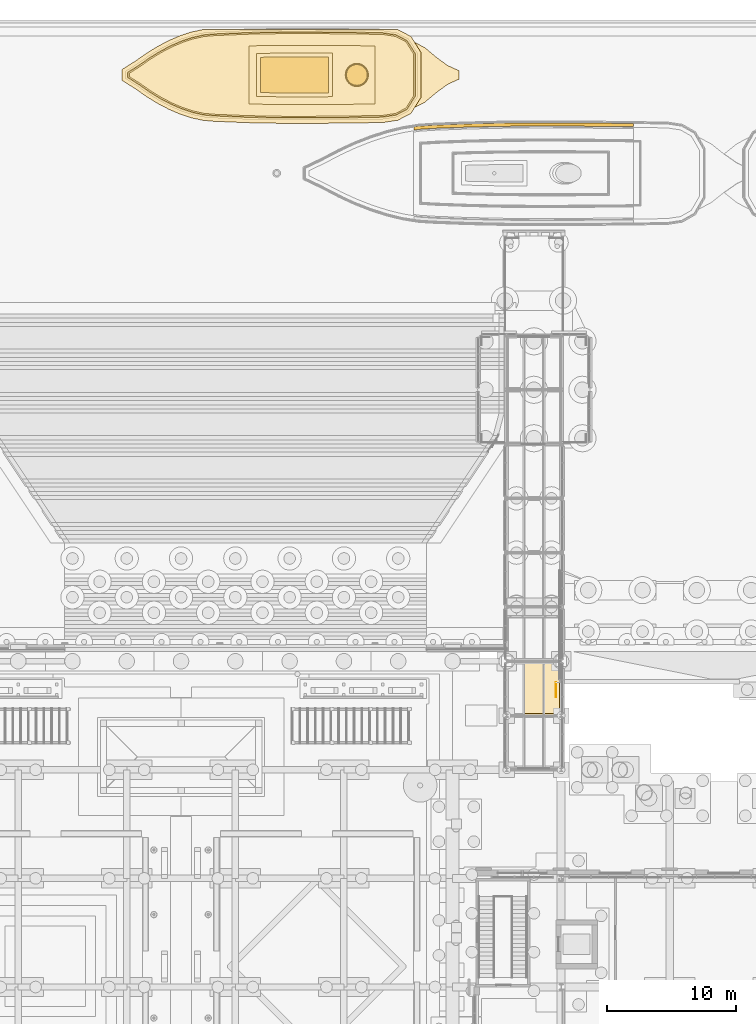
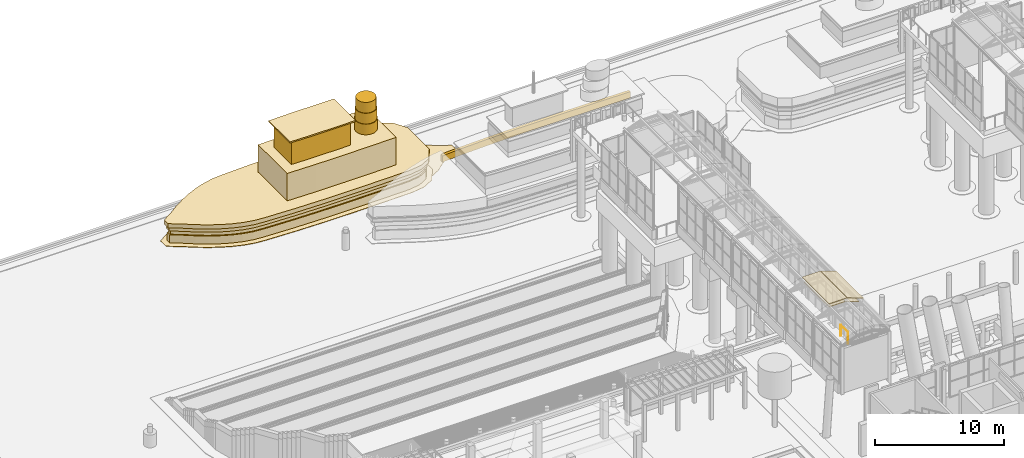
# One storey, part 183 of 222: 17 coverings, 1 railing.
"""IFC4 building model written with IfcOpenShell, lengths in metres."""

from ifc_helpers import new_model, si_unit, direction, frame, origin, origin_2d, place, context, subcontext, project, spatial, polyline, circle, outline, extrude, material, layer, layer_set, type_object, element, save


model = new_model("IFC4")

# Units and contexts
model_context = context("Model", 3, precision=1e-05, world=origin(), true_north=direction((0.0, 1.0)))
body_context = subcontext(model_context, "Body", "Model", "MODEL_VIEW")
ifc_project = project(units=[si_unit("LENGTHUNIT", "METRE"), si_unit("AREAUNIT", "SQUARE_METRE"), si_unit("VOLUMEUNIT", "CUBIC_METRE"), si_unit("PLANEANGLEUNIT", "RADIAN"), si_unit("MASSUNIT", "GRAM", prefix="KILO")], contexts=[model_context])

# Site, building, storey
site_placement = place(None, origin())
site = spatial("IfcSite", under=ifc_project, at=site_placement, CompositionType="ELEMENT")
building_placement = place(site_placement, origin())
building = spatial("IfcBuilding", under=site, at=building_placement, Name="Sava Quay Ferry Terminal", CompositionType="ELEMENT")
storey_placement = place(building_placement, origin())
storey = spatial("IfcBuildingStorey", under=building, at=storey_placement, Name="L00", CompositionType="ELEMENT", Elevation=0.0)

# Railing
ifc_material_1 = material(Name="Steel S355", Category="steel")
railing_type = type_object("IfcRailingType", Name="Edge guard 1100", PredefinedType="GUARDRAIL", material=ifc_material_1)
railing_placement = place(storey_placement, frame((50.0, 115.952880859375, 0.0)))
element("IfcRailing", 1, at=railing_placement, inside=storey, type_object=railing_type, Name="Berth pier edge guard along the narrow floor", PredefinedType="GUARDRAIL", context=body_context, shape_type="SweptSolid", body=[
    extrude(circle(Radius=0.02392578125, at=origin_2d()), frame((0.0, 0.0, 1.076171875), z_axis=(0.0, -1.0, 0.0), x_axis=(1.0, 0.0, 0.0)), (0.0, 0.0, 1.0), 1.10986328125),
    extrude(circle(Radius=0.02099609375, at=origin_2d()), origin(), (0.0, 0.0, 1.0), 1.052001953125),
    extrude(circle(Radius=0.02099609375, at=origin_2d()), frame((0.0, -1.10986328125, 0.0)), (0.0, 0.0, 1.0), 1.052001953125),
])

# Coverings
ifc_material_2 = material(Name="Glulam GL28h", Category="wood")
ifc_layer_1 = layer(ifc_material_2, 0.06005859375)
ifc_layer_set_1 = layer_set([ifc_layer_1], Name="Glulam GL28h")
covering_type_1 = type_object("IfcCoveringType", Name="Glulam soffit lining 60", PredefinedType="CEILING", material=ifc_layer_set_1)
covering_1_placement = place(storey_placement, frame((47.5634765625, 113.56005859375, 5.095703125), z_axis=(0.0, 0.0, 1.0), x_axis=(1.0, 0.0, 0.0)))
element("IfcCovering", 2, at=covering_1_placement, inside=storey, type_object=covering_type_1, Name="Boarding gallery B1 timber soffit lining bay 2 facet 2", PredefinedType="CEILING", context=body_context, shape_type="SweptSolid", body=[
    extrude(outline(polyline([(0.0, 0.0), (1.472900390625, 0.0), (1.472900390625, 3.8798828125), (0.0, 3.8798828125), (0.0, 0.0)])), origin(), (0.0, 0.0, -1.0), 0.06005859375),
])
covering_2_placement = place(storey_placement, frame((49.055908203125, 113.56005859375, 5.09228515625), z_axis=(0.342028329159, 0.0, 0.939689641346), x_axis=(0.939689641346, 0.0, -0.342028329159)))
element("IfcCovering", 3, at=covering_2_placement, inside=storey, type_object=covering_type_1, Name="Boarding gallery B1 timber soffit lining bay 2 facet 3", PredefinedType="CEILING", context=body_context, shape_type="SweptSolid", body=[
    extrude(outline(polyline([(0.0, 0.0), (1.3055444975084805, 0.0), (1.3055444975084805, 3.8798828125), (0.0, 3.8798828125), (0.0, 0.0)])), origin(), (0.0, 0.0, -1.0), 0.06005859375),
])
ifc_material_3 = material(Name="Water")
ifc_layer_2 = layer(ifc_material_3, 0.0400390625)
ifc_layer_set_2 = layer_set([ifc_layer_2], Name="Water")
covering_type_2 = type_object("IfcCoveringType", Name="River foam collar", PredefinedType="CLADDING", material=ifc_layer_set_2)
covering_3_placement = place(storey_placement, frame((0.0, 0.0, -8.0)))
element("IfcCovering", 4, at=covering_3_placement, inside=storey, type_object=covering_type_2, Name="River foam collar", PredefinedType="CLADDING", context=body_context, shape_type="SweptSolid", body=[
    extrude(outline(polyline([(28.794921875, 159.208984375), (31.402099609375, 159.208984375), (34.007080078125, 159.23193359375), (36.64697265625, 159.27587890625), (37.77294921875, 159.448974609375), (38.787109375, 159.97607421875), (39.550048828125, 161.197021484375), (39.550048828125, 164.712890625), (38.787109375, 165.93408203125), (37.783935546875, 166.455078125), (22.633056640625, 166.455078125), (21.805908203125, 166.27587890625), (20.930908203125, 165.989990234375), (20.06396484375, 165.618896484375), (19.202880859375, 165.1689453125), (18.347900390625, 164.64404296875), (17.52001953125, 164.06201171875), (16.449951171875, 163.385986328125), (16.449951171875, 162.52392578125), (17.52001953125, 161.847900390625), (18.347900390625, 161.26611328125), (19.202880859375, 160.740966796875), (20.06396484375, 160.291015625), (20.930908203125, 159.919921875), (21.805908203125, 159.634033203125), (22.693115234375, 159.44189453125), (23.56494140625, 159.365966796875), (26.18310546875, 159.259033203125), (28.794921875, 159.208984375)]), holes=[polyline([(34.0009765625, 166.22802734375), (36.60791015625, 166.18505859375), (37.632080078125, 166.027099609375), (38.469970703125, 165.591064453125), (39.10009765625, 164.583984375), (39.10009765625, 161.325927734375), (38.469970703125, 160.319091796875), (37.632080078125, 159.883056640625), (36.60791015625, 159.72509765625), (34.0009765625, 159.681884765625), (31.39990234375, 159.658935546875), (28.799072265625, 159.658935546875), (26.197021484375, 159.7080078125), (23.593994140625, 159.81494140625), (22.760009765625, 159.887939453125), (21.924072265625, 160.069091796875), (21.090087890625, 160.341064453125), (20.257080078125, 160.697998046875), (19.426025390625, 161.133056640625), (18.594970703125, 161.64306640625), (17.77001953125, 162.221923828125), (16.89990234375, 162.77197265625), (16.89990234375, 163.137939453125), (17.77001953125, 163.68798828125), (18.594970703125, 164.26708984375), (19.426025390625, 164.777099609375), (20.257080078125, 165.2119140625), (21.090087890625, 165.569091796875), (21.924072265625, 165.841064453125), (22.760009765625, 166.02197265625), (23.593994140625, 166.094970703125), (26.197021484375, 166.201904296875), (28.799072265625, 166.2509765625), (31.39990234375, 166.2509765625), (34.0009765625, 166.22802734375)])]), origin(), (0.0, 0.0, 1.0), 0.0400390625),
])
ifc_material_4 = material(Name="Water")
ifc_layer_3 = layer(ifc_material_4, 0.0400390625)
ifc_layer_set_3 = layer_set([ifc_layer_3], Name="Water")
covering_type_3 = type_object("IfcCoveringType", Name="River wake foam", PredefinedType="CLADDING", material=ifc_layer_set_3)
covering_4_placement = place(storey_placement, frame((0.0, 0.0, -8.0)))
element("IfcCovering", 5, at=covering_4_placement, inside=storey, type_object=covering_type_3, Name="River wake foam", PredefinedType="CLADDING", context=body_context, shape_type="SweptSolid", body=[
    extrude(outline(polyline([(40.75, 161.592041015625), (41.625, 162.23095703125), (42.5, 162.6259765625), (42.5, 163.283935546875), (41.625, 163.678955078125), (40.75, 164.318115234375), (39.875, 165.055908203125), (39.072998046875, 165.47705078125), (39.550048828125, 164.712890625), (39.550048828125, 161.197021484375), (39.072998046875, 160.43310546875), (39.875, 160.85400390625), (40.75, 161.592041015625)])), origin(), (0.0, 0.0, 1.0), 0.0400390625),
])
ifc_material_5 = material(Name="Zinc standing seam sheet")
ifc_layer_4 = layer(ifc_material_5, 0.0400390625)
ifc_layer_set_4 = layer_set([ifc_layer_4], Name="Zinc standing seam sheet")
covering_type_4 = type_object("IfcCoveringType", Name="Standing seam roofing 40", PredefinedType="ROOFING", material=ifc_layer_set_4)
covering_5_placement = place(storey_placement, frame((47.4912109375, 113.409912109375, 5.505859375), z_axis=(0.0, 0.0, 1.0), x_axis=(1.0, 0.0, 0.0)))
element("IfcCovering", 6, at=covering_5_placement, inside=storey, type_object=covering_type_4, Name="Boarding gallery B1 roofing bay 2 facet 2", PredefinedType="ROOFING", context=body_context, shape_type="SweptSolid", body=[
    extrude(outline(polyline([(0.0, 0.0), (1.617431640625, 0.0), (1.617431640625, 4.18017578125), (0.0, 4.18017578125), (0.0, 0.0)])), origin(), (0.0, 0.0, -1.0), 0.0400390625),
])
covering_6_placement = place(storey_placement, frame((49.128173828125, 113.409912109375, 5.50244140625), z_axis=(0.342089424704, 0.0, 0.939667401534), x_axis=(0.939667401534, 0.0, -0.342089424704)))
element("IfcCovering", 7, at=covering_6_placement, inside=storey, type_object=covering_type_4, Name="Boarding gallery B1 roofing bay 2 facet 3", PredefinedType="ROOFING", context=body_context, shape_type="SweptSolid", body=[
    extrude(outline(polyline([(0.0, 0.0), (1.5279778922638676, 0.0), (1.5279778922638676, 4.18017578125), (0.0, 4.18017578125), (0.0, 0.0)])), origin(), (0.0, 0.0, -1.0), 0.0400390625),
])
ifc_material_6 = material(Name="Steel S355", Category="steel")
ifc_layer_5 = layer(ifc_material_6, 2.0)
ifc_layer_set_5 = layer_set([ifc_layer_5], Name="Steel S355")
covering_type_5 = type_object("IfcCoveringType", Name="Tug hull side", PredefinedType="CLADDING", material=ifc_layer_set_5)
covering_7_placement = place(storey_placement, frame((0.0, 0.0, -7.199951171875)))
element("IfcCovering", 8, at=covering_7_placement, inside=storey, type_object=covering_type_5, Name="Moored tug hull", PredefinedType="CLADDING", context=body_context, shape_type="SweptSolid", body=[
    extrude(outline(polyline([(39.0, 164.554931640625), (38.39990234375, 165.514892578125), (37.60009765625, 165.930908203125), (36.60009765625, 166.0849609375), (34.0, 166.1279296875), (31.39990234375, 166.15087890625), (28.800048828125, 166.15087890625), (26.199951171875, 166.10205078125), (23.60009765625, 165.9951171875), (22.77490234375, 165.923095703125), (21.949951171875, 165.743896484375), (21.125, 165.47509765625), (20.300048828125, 165.1220703125), (19.47509765625, 164.68994140625), (18.64990234375, 164.18408203125), (17.824951171875, 163.60498046875), (17.0, 163.0830078125), (17.0, 162.826904296875), (17.824951171875, 162.304931640625), (18.64990234375, 161.72607421875), (19.47509765625, 161.219970703125), (20.300048828125, 160.7880859375), (21.125, 160.43505859375), (21.949951171875, 160.166015625), (22.77490234375, 159.987060546875), (23.60009765625, 159.9150390625), (26.199951171875, 159.80810546875), (28.800048828125, 159.759033203125), (31.39990234375, 159.759033203125), (34.0, 159.781982421875), (36.60009765625, 159.824951171875), (37.60009765625, 159.97900390625), (38.39990234375, 160.39501953125), (39.0, 161.35498046875), (39.0, 164.554931640625)])), origin(), (0.0, 0.0, 1.0), 0.39990234375),
])
covering_8_placement = place(storey_placement, frame((0.0, 0.0, -6.800048828125)))
element("IfcCovering", 9, at=covering_8_placement, inside=storey, type_object=covering_type_5, Name="Moored tug hull", PredefinedType="CLADDING", context=body_context, shape_type="SweptSolid", body=[
    extrude(outline(polyline([(39.14990234375, 164.597900390625), (38.506103515625, 165.62890625), (37.64697265625, 166.074951171875), (36.613037109375, 166.235107421875), (34.001953125, 166.278076171875), (31.40087890625, 166.301025390625), (28.799072265625, 166.301025390625), (26.195068359375, 166.251953125), (23.590087890625, 166.14501953125), (22.7529296875, 166.072021484375), (21.910888671875, 165.888916015625), (21.072021484375, 165.614990234375), (20.236083984375, 165.258056640625), (19.40087890625, 164.821044921875), (18.568115234375, 164.30908203125), (17.741943359375, 163.72900390625), (16.85009765625, 163.166015625), (16.85009765625, 162.743896484375), (17.741943359375, 162.180908203125), (18.568115234375, 161.60107421875), (19.40087890625, 161.089111328125), (20.236083984375, 160.652099609375), (21.072021484375, 160.294921875), (21.910888671875, 160.02099609375), (22.7529296875, 159.837890625), (23.590087890625, 159.764892578125), (26.195068359375, 159.657958984375), (28.799072265625, 159.60888671875), (31.40087890625, 159.60888671875), (34.001953125, 159.632080078125), (36.613037109375, 159.675048828125), (37.64697265625, 159.8349609375), (38.506103515625, 160.281005859375), (39.14990234375, 161.31201171875), (39.14990234375, 164.597900390625)])), origin(), (0.0, 0.0, 1.0), 0.400146484375),
])
covering_9_placement = place(storey_placement, frame((0.0, 0.0, -6.39990234375)))
element("IfcCovering", 10, at=covering_9_placement, inside=storey, type_object=covering_type_5, Name="Moored tug hull", PredefinedType="CLADDING", context=body_context, shape_type="SweptSolid", body=[
    extrude(outline(polyline([(39.300048828125, 164.64111328125), (38.611083984375, 165.742919921875), (37.695068359375, 166.219970703125), (36.625, 166.384033203125), (34.00390625, 166.427978515625), (31.40087890625, 166.450927734375), (28.797119140625, 166.450927734375), (26.19091796875, 166.40087890625), (23.5810546875, 166.2939453125), (22.72998046875, 166.219970703125), (21.87109375, 166.033935546875), (21.01904296875, 165.756103515625), (20.1708984375, 165.39306640625), (19.326904296875, 164.950927734375), (18.485107421875, 164.43505859375), (17.658935546875, 163.85400390625), (16.699951171875, 163.248046875), (16.699951171875, 162.662109375), (17.658935546875, 162.055908203125), (18.485107421875, 161.47509765625), (19.326904296875, 160.958984375), (20.1708984375, 160.51708984375), (21.01904296875, 160.154052734375), (21.87109375, 159.8759765625), (22.72998046875, 159.68994140625), (23.5810546875, 159.615966796875), (26.19091796875, 159.509033203125), (28.797119140625, 159.458984375), (31.40087890625, 159.458984375), (34.00390625, 159.48193359375), (36.625, 159.52587890625), (37.695068359375, 159.68994140625), (38.611083984375, 160.1669921875), (39.300048828125, 161.26904296875), (39.300048828125, 164.64111328125)])), origin(), (0.0, 0.0, 1.0), 0.39990234375),
])
ifc_material_7 = material(Name="Steel S355", Category="steel")
ifc_layer_6 = layer(ifc_material_7, 0.60009765625)
ifc_layer_set_6 = layer_set([ifc_layer_6], Name="Steel S355")
covering_type_6 = type_object("IfcCoveringType", Name="Vessel bulwark 600", PredefinedType="CLADDING", material=ifc_layer_set_6)
covering_10_placement = place(storey_placement, frame((0.0, 0.0, -5.60009765625)))
element("IfcCovering", 11, at=covering_10_placement, inside=storey, type_object=covering_type_6, Name="Vessel bulwark", PredefinedType="CLADDING", context=body_context, shape_type="SweptSolid", body=[
    extrude(outline(polyline([(50.886962890625, 159.2451171875), (48.31298828125, 159.25), (45.737060546875, 159.22998046875), (43.158935546875, 159.1708984375), (40.5791015625, 159.074951171875), (39.35498046875, 158.993896484375), (39.010009765625, 158.93798828125), (39.010009765625, 158.68505859375), (39.383056640625, 158.7451171875), (40.592041015625, 158.824951171875), (43.1669921875, 158.9208984375), (45.740966796875, 158.97998046875), (48.31396484375, 159.0), (50.885986328125, 158.9951171875), (53.4580078125, 158.97705078125), (55.989990234375, 158.948974609375), (55.989990234375, 159.198974609375), (53.4609375, 159.22705078125), (50.886962890625, 159.2451171875)])), origin(), (0.0, 0.0, 1.0), 0.60009765625),
])
ifc_material_8 = material(Name="Steel S355", Category="steel")
ifc_layer_7 = layer(ifc_material_8, 0.1201171875)
ifc_layer_set_7 = layer_set([ifc_layer_7], Name="Steel S355")
covering_type_7 = type_object("IfcCoveringType", Name="Vessel deck plate 120", PredefinedType="FLOORING", material=ifc_layer_set_7)
covering_11_placement = place(storey_placement, frame((0.0, 0.0, -1.10009765625)))
element("IfcCovering", 12, at=covering_11_placement, inside=storey, type_object=covering_type_7, Name="Tug wheelhouse roof", PredefinedType="FLOORING", context=body_context, shape_type="SweptSolid", body=[
    extrude(outline(polyline([(31.39306640625, 164.65087890625), (28.81396484375, 164.65087890625), (26.840087890625, 164.613037109375), (26.840087890625, 161.297119140625), (28.81396484375, 161.259033203125), (31.39306640625, 161.259033203125), (32.699951171875, 161.27099609375), (32.699951171875, 164.638916015625), (31.39306640625, 164.65087890625)])), origin(), (0.0, 0.0, 1.0), 0.1201171875),
])
ifc_material_9 = material(Name="Steel S355", Category="steel")
ifc_layer_8 = layer(ifc_material_9, 1.0)
ifc_layer_set_8 = layer_set([ifc_layer_8], Name="Steel S355")
covering_type_8 = type_object("IfcCoveringType", Name="Vessel funnel", PredefinedType="CLADDING", material=ifc_layer_set_8)
covering_12_placement = place(storey_placement, frame((0.0, 0.0, -3.39990234375)))
element("IfcCovering", 13, at=covering_12_placement, inside=storey, type_object=covering_type_8, Name="Tug funnel", PredefinedType="CLADDING", context=body_context, shape_type="SweptSolid", body=[
    extrude(outline(polyline([(33.699951171875, 162.955078125), (33.7080078125, 162.837890625), (33.73095703125, 162.721923828125), (33.76904296875, 162.611083984375), (33.821044921875, 162.5048828125), (33.885986328125, 162.406982421875), (33.964111328125, 162.319091796875), (34.052001953125, 162.240966796875), (34.14990234375, 162.176025390625), (34.256103515625, 162.1240234375), (34.366943359375, 162.0859375), (34.48291015625, 162.06298828125), (34.60009765625, 162.054931640625), (34.717041015625, 162.06298828125), (34.8330078125, 162.0859375), (34.944091796875, 162.1240234375), (35.050048828125, 162.176025390625), (35.14794921875, 162.240966796875), (35.236083984375, 162.319091796875), (35.31396484375, 162.406982421875), (35.37890625, 162.5048828125), (35.430908203125, 162.611083984375), (35.468994140625, 162.721923828125), (35.491943359375, 162.837890625), (35.5, 162.955078125), (35.491943359375, 163.072021484375), (35.468994140625, 163.18798828125), (35.430908203125, 163.299072265625), (35.37890625, 163.405029296875), (35.31396484375, 163.5029296875), (35.236083984375, 163.591064453125), (35.14794921875, 163.6689453125), (35.050048828125, 163.73388671875), (34.944091796875, 163.785888671875), (34.8330078125, 163.823974609375), (34.717041015625, 163.846923828125), (34.60009765625, 163.85498046875), (34.48291015625, 163.846923828125), (34.366943359375, 163.823974609375), (34.256103515625, 163.785888671875), (34.14990234375, 163.73388671875), (34.052001953125, 163.6689453125), (33.964111328125, 163.591064453125), (33.885986328125, 163.5029296875), (33.821044921875, 163.405029296875), (33.76904296875, 163.299072265625), (33.73095703125, 163.18798828125), (33.7080078125, 163.072021484375), (33.699951171875, 162.955078125)])), origin(), (0.0, 0.0, 1.0), 1.0),
])
covering_13_placement = place(storey_placement, frame((0.0, 0.0, -2.39990234375)))
element("IfcCovering", 14, at=covering_13_placement, inside=storey, type_object=covering_type_8, Name="Tug funnel", PredefinedType="CLADDING", context=body_context, shape_type="SweptSolid", body=[
    extrude(outline(polyline([(33.75, 162.955078125), (33.757080078125, 162.843994140625), (33.779052734375, 162.735107421875), (33.81494140625, 162.6298828125), (33.864013671875, 162.530029296875), (33.926025390625, 162.43798828125), (33.9990234375, 162.35400390625), (34.0830078125, 162.281005859375), (34.175048828125, 162.218994140625), (34.27490234375, 162.169921875), (34.3798828125, 162.134033203125), (34.489013671875, 162.112060546875), (34.60009765625, 162.10498046875), (34.7109375, 162.112060546875), (34.820068359375, 162.134033203125), (34.925048828125, 162.169921875), (35.02490234375, 162.218994140625), (35.116943359375, 162.281005859375), (35.200927734375, 162.35400390625), (35.27392578125, 162.43798828125), (35.3359375, 162.530029296875), (35.385009765625, 162.6298828125), (35.4208984375, 162.735107421875), (35.443115234375, 162.843994140625), (35.449951171875, 162.955078125), (35.443115234375, 163.06591796875), (35.4208984375, 163.175048828125), (35.385009765625, 163.280029296875), (35.3359375, 163.3798828125), (35.27392578125, 163.471923828125), (35.200927734375, 163.555908203125), (35.116943359375, 163.62890625), (35.02490234375, 163.69091796875), (34.925048828125, 163.739990234375), (34.820068359375, 163.77587890625), (34.7109375, 163.798095703125), (34.60009765625, 163.804931640625), (34.489013671875, 163.798095703125), (34.3798828125, 163.77587890625), (34.27490234375, 163.739990234375), (34.175048828125, 163.69091796875), (34.0830078125, 163.62890625), (33.9990234375, 163.555908203125), (33.926025390625, 163.471923828125), (33.864013671875, 163.3798828125), (33.81494140625, 163.280029296875), (33.779052734375, 163.175048828125), (33.757080078125, 163.06591796875), (33.75, 162.955078125)])), origin(), (0.0, 0.0, 1.0), 1.0),
])
covering_14_placement = place(storey_placement, frame((0.0, 0.0, -1.39990234375)))
element("IfcCovering", 15, at=covering_14_placement, inside=storey, type_object=covering_type_8, Name="Tug funnel", PredefinedType="CLADDING", context=body_context, shape_type="SweptSolid", body=[
    extrude(outline(polyline([(33.800048828125, 162.955078125), (33.806884765625, 162.85107421875), (33.826904296875, 162.748046875), (33.861083984375, 162.64892578125), (33.906982421875, 162.554931640625), (33.965087890625, 162.468017578125), (34.033935546875, 162.388916015625), (34.113037109375, 162.320068359375), (34.199951171875, 162.261962890625), (34.2939453125, 162.216064453125), (34.39306640625, 162.181884765625), (34.49609375, 162.162109375), (34.60009765625, 162.155029296875), (34.7041015625, 162.162109375), (34.806884765625, 162.181884765625), (34.906005859375, 162.216064453125), (35.0, 162.261962890625), (35.0869140625, 162.320068359375), (35.166015625, 162.388916015625), (35.235107421875, 162.468017578125), (35.29296875, 162.554931640625), (35.339111328125, 162.64892578125), (35.373046875, 162.748046875), (35.39306640625, 162.85107421875), (35.39990234375, 162.955078125), (35.39306640625, 163.05908203125), (35.373046875, 163.162109375), (35.339111328125, 163.260986328125), (35.29296875, 163.35498046875), (35.235107421875, 163.44189453125), (35.166015625, 163.52099609375), (35.0869140625, 163.590087890625), (35.0, 163.64794921875), (34.906005859375, 163.694091796875), (34.806884765625, 163.72802734375), (34.7041015625, 163.748046875), (34.60009765625, 163.7548828125), (34.49609375, 163.748046875), (34.39306640625, 163.72802734375), (34.2939453125, 163.694091796875), (34.199951171875, 163.64794921875), (34.113037109375, 163.590087890625), (34.033935546875, 163.52099609375), (33.965087890625, 163.44189453125), (33.906982421875, 163.35498046875), (33.861083984375, 163.260986328125), (33.826904296875, 163.162109375), (33.806884765625, 163.05908203125), (33.800048828125, 162.955078125)])), origin(), (0.0, 0.0, 1.0), 1.0),
])
ifc_material_10 = material(Name="Aluminium cladding", Category="aluminium")
ifc_layer_9 = layer(ifc_material_10, 2.39990234375)
ifc_layer_set_9 = layer_set([ifc_layer_9], Name="Aluminium cladding")
covering_type_9 = type_object("IfcCoveringType", Name="Vessel main deckhouse", PredefinedType="CLADDING", material=ifc_layer_set_9)
covering_15_placement = place(storey_placement, frame((0.0, 0.0, -6.0)))
element("IfcCovering", 16, at=covering_15_placement, inside=storey, type_object=covering_type_9, Name="Tug deckhouse", PredefinedType="CLADDING", context=body_context, shape_type="SweptSolid", body=[
    extrude(outline(polyline([(33.989013671875, 165.22802734375), (31.39599609375, 165.2509765625), (28.80908203125, 165.2509765625), (26.239990234375, 165.201904296875), (26.239990234375, 160.7080078125), (28.80908203125, 160.658935546875), (31.39599609375, 160.658935546875), (33.989013671875, 160.681884765625), (36.0, 160.715087890625), (36.0, 165.195068359375), (33.989013671875, 165.22802734375)])), origin(), (0.0, 0.0, 1.0), 2.60009765625),
])
ifc_material_11 = material(Name="Steel S355", Category="steel")
ifc_layer_10 = layer(ifc_material_11, 0.89990234375)
ifc_layer_set_10 = layer_set([ifc_layer_10], Name="Steel S355")
covering_type_10 = type_object("IfcCoveringType", Name="Vessel waterline band 800", PredefinedType="CLADDING", material=ifc_layer_set_10)
covering_16_placement = place(storey_placement, frame((0.0, 0.0, -8.0)))
element("IfcCovering", 17, at=covering_16_placement, inside=storey, type_object=covering_type_10, Name="Tug waterline band", PredefinedType="CLADDING", context=body_context, shape_type="SweptSolid", body=[
    extrude(outline(polyline([(39.10009765625, 164.583984375), (38.469970703125, 165.591064453125), (37.632080078125, 166.027099609375), (36.60791015625, 166.18505859375), (34.0009765625, 166.22802734375), (31.39990234375, 166.2509765625), (28.799072265625, 166.2509765625), (26.197021484375, 166.201904296875), (23.593994140625, 166.094970703125), (22.760009765625, 166.02197265625), (21.924072265625, 165.841064453125), (21.090087890625, 165.569091796875), (20.257080078125, 165.2119140625), (19.426025390625, 164.777099609375), (18.594970703125, 164.26708984375), (17.77001953125, 163.68798828125), (16.89990234375, 163.137939453125), (16.89990234375, 162.77197265625), (17.77001953125, 162.221923828125), (18.594970703125, 161.64306640625), (19.426025390625, 161.133056640625), (20.257080078125, 160.697998046875), (21.090087890625, 160.341064453125), (21.924072265625, 160.069091796875), (22.760009765625, 159.887939453125), (23.593994140625, 159.81494140625), (26.197021484375, 159.7080078125), (28.799072265625, 159.658935546875), (31.39990234375, 159.658935546875), (34.0009765625, 159.681884765625), (36.60791015625, 159.72509765625), (37.632080078125, 159.883056640625), (38.469970703125, 160.319091796875), (39.10009765625, 161.325927734375), (39.10009765625, 164.583984375)])), origin(), (0.0, 0.0, 1.0), 0.800048828125),
])
ifc_material_12 = material(Name="Aluminium cladding", Category="aluminium")
ifc_layer_11 = layer(ifc_material_12, 2.60009765625)
ifc_layer_set_11 = layer_set([ifc_layer_11], Name="Aluminium cladding")
covering_type_11 = type_object("IfcCoveringType", Name="Vessel wheelhouse", PredefinedType="CLADDING", material=ifc_layer_set_11)
covering_17_placement = place(storey_placement, frame((0.0, 0.0, -3.39990234375)))
element("IfcCovering", 18, at=covering_17_placement, inside=storey, type_object=covering_type_11, Name="Tug wheelhouse", PredefinedType="CLADDING", context=body_context, shape_type="SweptSolid", body=[
    extrude(outline(polyline([(31.39208984375, 164.35107421875), (28.81689453125, 164.35107421875), (27.139892578125, 164.319091796875), (27.139892578125, 161.591064453125), (28.81689453125, 161.55908203125), (31.39208984375, 161.55908203125), (32.39990234375, 161.568115234375), (32.39990234375, 164.342041015625), (31.39208984375, 164.35107421875)])), origin(), (0.0, 0.0, 1.0), 2.2998046875),
])

save(model, "model.ifc")
